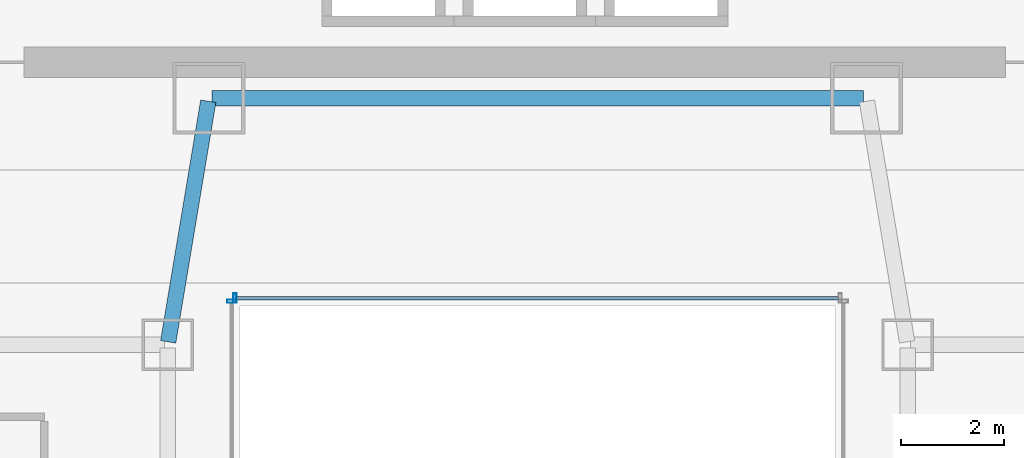
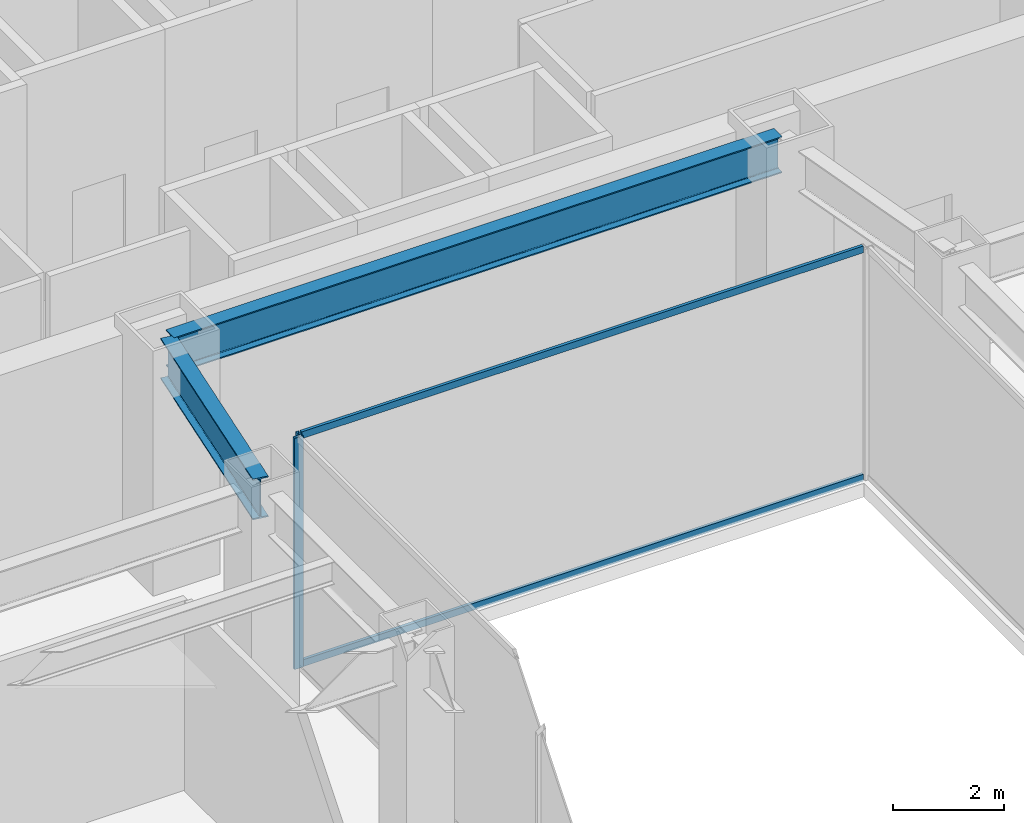
# One storey, part 24 of 51: 4 members, 2 beams, 2 elements without a shape of their own.
"""IFC4 building model written with IfcOpenShell, lengths in metres."""

from ifc_helpers import new_model, si_unit, direction, frame, origin, origin_2d, place, context, subcontext, project, spatial, hollow_rectangle, i_section, extrude, material, material_profile, profile_set, type_object, element, aggregate, save


model = new_model("IFC4")

# Units and contexts
model_context = context("Model", 3, precision=1e-05, world=origin(), true_north=direction((0.0, 1.0)))
body_context = subcontext(model_context, "Body", "Model", "MODEL_VIEW")
ifc_project = project(units=[si_unit("LENGTHUNIT", "METRE"), si_unit("AREAUNIT", "SQUARE_METRE"), si_unit("VOLUMEUNIT", "CUBIC_METRE"), si_unit("PLANEANGLEUNIT", "RADIAN"), si_unit("MASSUNIT", "GRAM", prefix="KILO")], contexts=[model_context])

# Site, building, storey
site_placement = place(None, origin())
site = spatial("IfcSite", under=ifc_project, at=site_placement, CompositionType="ELEMENT")
building_placement = place(site_placement, origin())
building = spatial("IfcBuilding", under=site, at=building_placement, Name="Saevonmaru Cultural Tower", CompositionType="ELEMENT")
storey_placement = place(building_placement, frame((0.0, 0.0, 6.0)))
storey = spatial("IfcBuildingStorey", under=building, at=storey_placement, Name="L01", CompositionType="ELEMENT", Elevation=6.0)

# Beams
ifc_material_1 = material(Name="Steel SM420", Category="steel")
ifc_material_profile_1 = material_profile(ifc_material_1, i_section(OverallWidth=0.300048828125, OverallDepth=0.800048828125, WebThickness=0.013916015625, FlangeThickness=0.02587890625, FilletRadius=0.028076171875, at=origin_2d()), Name="H-800x300x14x26")
ifc_profile_set_1 = profile_set([ifc_material_profile_1], Name="Steel SM420")
beam_type_1 = type_object("IfcBeamType", Name="BM-G-H800", PredefinedType="BEAM", material=ifc_profile_set_1)
beam_1_placement = place(storey_placement, frame((23.659912109375, 42.39990234375, 4.699951171875), z_axis=(1.0, 0.0, 0.0), x_axis=(0.0, 1.0, 0.0)))
element("IfcBeam", 1, at=beam_1_placement, inside=storey, type_object=beam_type_1, Name="L01 Core South Girder 3", PredefinedType="BEAM", context=body_context, shape_type="SweptSolid", body=[
    extrude(i_section(OverallWidth=0.300048828125, OverallDepth=0.800048828125, WebThickness=0.013916015625, FlangeThickness=0.02587890625, FilletRadius=0.028076171875, at=origin_2d()), origin(), (0.0, 0.0, 1.0), 12.68017578125),
])
ifc_material_profile_2 = material_profile(ifc_material_1, i_section(OverallWidth=0.300048828125, OverallDepth=0.89990234375, WebThickness=0.01611328125, FlangeThickness=0.028076171875, FilletRadius=0.028076171875, at=origin_2d()), Name="H-900x300x16x28")
ifc_profile_set_2 = profile_set([ifc_material_profile_2], Name="Steel SM420")
beam_type_2 = type_object("IfcBeamType", Name="BM-G-H900", PredefinedType="BEAM", material=ifc_profile_set_2)
beam_2_placement = place(storey_placement, frame((22.809814453125, 37.6591796875, 4.64990234375), z_axis=(0.164398987305, 0.986393923832, 0.0), x_axis=(-0.986393923832, 0.164398987305, 0.0)))
element("IfcBeam", 2, at=beam_2_placement, inside=storey, type_object=beam_type_2, Name="L01 Podium Girder NS2-6", PredefinedType="BEAM", context=body_context, shape_type="SweptSolid", body=[
    extrude(i_section(OverallWidth=0.300048828125, OverallDepth=0.89990234375, WebThickness=0.01611328125, FlangeThickness=0.028076171875, FilletRadius=0.028076171875, at=origin_2d()), origin(), (0.0, 0.0, 1.0), 4.746337890625),
])

# Curtain wall, member
ifc_material_2 = material(Name="Satin Bronze Anodised Aluminium", Category="aluminium")
curtain_wall_type = type_object("IfcCurtainWallType", Name="CW-ATR-GLZ", PredefinedType="NOTDEFINED", material=ifc_material_2)
curtain_wall_1_placement = place(storey_placement, origin())
curtain_wall_1 = element("IfcCurtainWall", 3, at=curtain_wall_1_placement, inside=storey, type_object=curtain_wall_type, Name="L01 Vertical Atrium Glazed Smoke Screen 3", PredefinedType="NOTDEFINED")
ifc_material_profile_3 = material_profile(ifc_material_2, hollow_rectangle(XDim=0.06494140625, YDim=0.179931640625, WallThickness=0.00390625, at=origin_2d()), Name="ALU-MULL-180x65x4")
ifc_profile_set_3 = profile_set([ifc_material_profile_3], Name="Satin Bronze Anodised Aluminium")
member_type_1 = type_object("IfcMemberType", Name="ML-CW-INT-180x65", PredefinedType="MULLION", material=ifc_profile_set_3)
member_1_placement = place(storey_placement, frame((24.110107421875, 38.510009765625, 0.0), z_axis=(0.0, 0.0, 1.0), x_axis=(-1.0, 0.0, 0.0)))
member_1 = element("IfcMember", 4, at=member_1_placement, type_object=member_type_1, Name="CW-ATR-L01-3 mullion 2", PredefinedType="MULLION", context=body_context, shape_type="SweptSolid", body=[
    extrude(hollow_rectangle(XDim=0.06494140625, YDim=0.179931640625, WallThickness=0.00390625, at=origin_2d()), origin(), (0.0, 0.0, 1.0), 5.10009765625),
])

curtain_wall_2_placement = place(storey_placement, origin())
curtain_wall_2 = element("IfcCurtainWall", 5, at=curtain_wall_2_placement, inside=storey, type_object=curtain_wall_type, Name="L01 Vertical Atrium Glazed Smoke Screen 4", PredefinedType="NOTDEFINED")
member_2_placement = place(storey_placement, frame((24.050048828125, 38.449951171875, 0.0), z_axis=(0.0, 0.0, 1.0), x_axis=(0.0, -1.0, 0.0)))
member_2 = element("IfcMember", 6, at=member_2_placement, type_object=member_type_1, Name="CW-ATR-L01-4 mullion 1", PredefinedType="MULLION", context=body_context, shape_type="SweptSolid", body=[
    extrude(hollow_rectangle(XDim=0.06494140625, YDim=0.179931640625, WallThickness=0.00390625, at=origin_2d()), origin(), (0.0, 0.0, 1.0), 5.10009765625),
])
aggregate(curtain_wall_2, [member_2])

# Member
ifc_material_profile_4 = material_profile(ifc_material_2, hollow_rectangle(XDim=0.06494140625, YDim=0.14990234375, WallThickness=0.00390625, at=origin_2d()), Name="ALU-TRAN-150x65x4")
ifc_profile_set_4 = profile_set([ifc_material_profile_4], Name="Satin Bronze Anodised Aluminium")
member_type_2 = type_object("IfcMemberType", Name="TR-CW-INT-150x65", PredefinedType="USERDEFINED", material=ifc_profile_set_4)
member_3_placement = place(storey_placement, frame((35.857421875, 38.510009765625, 0.032470703125), z_axis=(-1.0, 0.0, 0.0), x_axis=(0.0, -1.0, 0.0)))
member_3 = element("IfcMember", 7, at=member_3_placement, type_object=member_type_2, Name="CW-ATR-L01-3 transom 1.1", ObjectType="TRANSOM", PredefinedType="USERDEFINED", context=body_context, shape_type="SweptSolid", body=[
    extrude(hollow_rectangle(XDim=0.06494140625, YDim=0.14990234375, WallThickness=0.00390625, at=origin_2d()), origin(), (0.0, 0.0, 1.0), 11.71484375),
])

member_4_placement = place(storey_placement, frame((35.857421875, 38.510009765625, 5.0673828125), z_axis=(-1.0, 0.0, 0.0), x_axis=(0.0, -1.0, 0.0)))
member_4 = element("IfcMember", 8, at=member_4_placement, type_object=member_type_2, Name="CW-ATR-L01-3 transom 1.2", ObjectType="TRANSOM", PredefinedType="USERDEFINED", context=body_context, shape_type="SweptSolid", body=[
    extrude(hollow_rectangle(XDim=0.06494140625, YDim=0.14990234375, WallThickness=0.00390625, at=origin_2d()), origin(), (0.0, 0.0, 1.0), 11.71484375),
])

aggregate(curtain_wall_1, [member_1, member_3, member_4])

save(model, "model.ifc")
